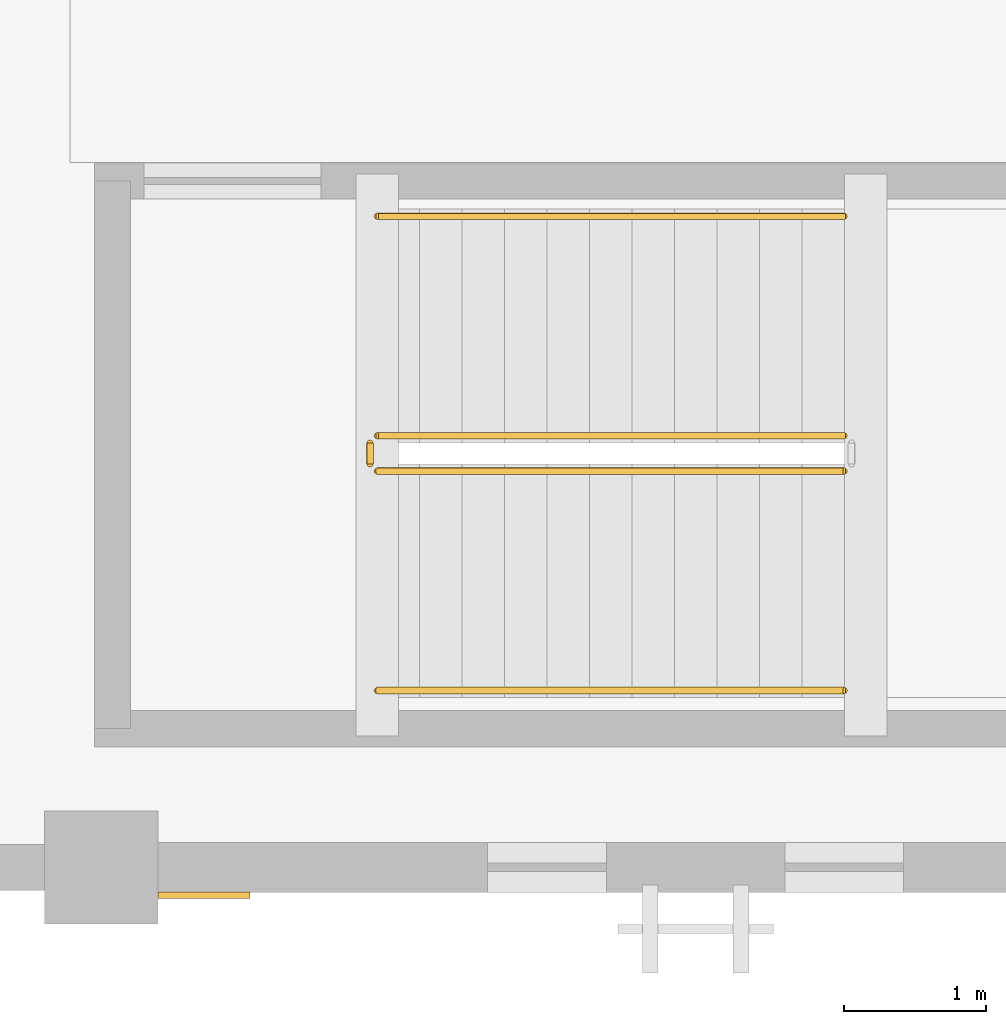
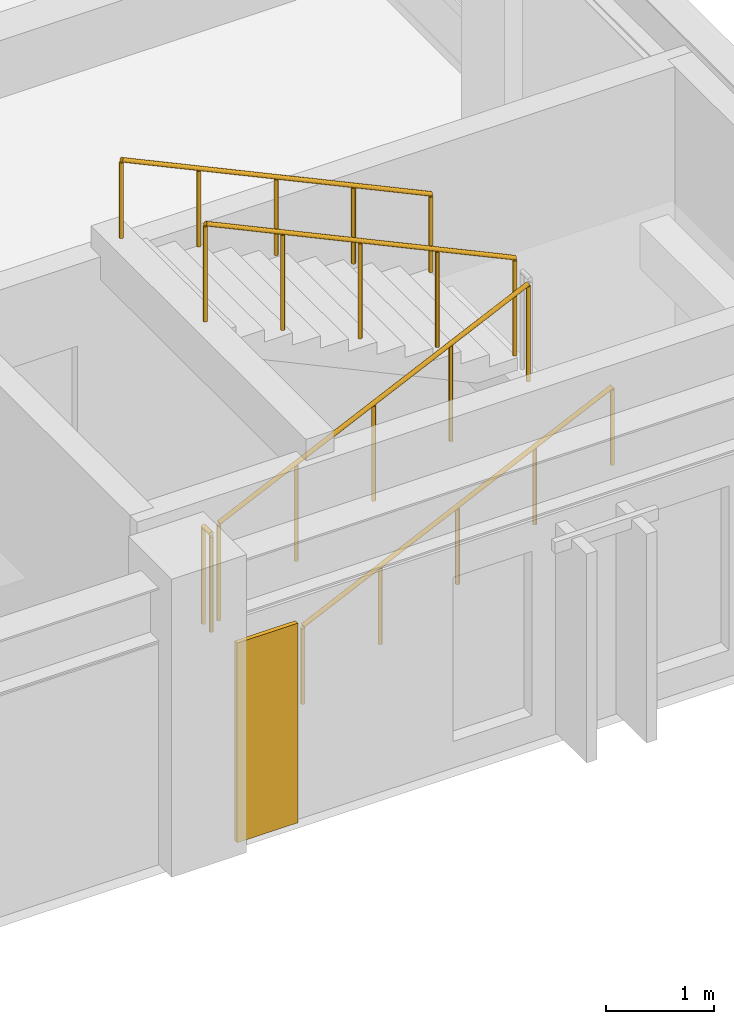
# One storey, part 99 of 111: 5 railings, 1 covering.
"""IFC4 building model written with IfcOpenShell, lengths in metres."""

import ifcopenshell
import ifcopenshell.guid

model = None  # the IFC model being written
_history = None  # IfcOwnerHistory: only IFC2X3 demands one
_inside = {}  # id of a spatial element -> (the spatial element, [elements in it])
_under = {}  # id of a project, library or spatial element -> (it, [spatial elements below it])
_declared = {}  # id of a project -> (the project, [libraries it declares])
_typed = {}  # id of a type object -> (the type object, [elements of that type])
_made_of = {}  # id of a material, layer set ... -> (it, [elements and type objects made of it])


def new_model(schema):
    """Start an empty IFC model of exactly this schema.

    Asked for "IFC4X3", IfcOpenShell would pick the latest addendum, in which some entities
    have other attributes; the version numbers below select the first issue.
    IFC2X3 requires an IfcOwnerHistory on every rooted entity: one is made here for all.
    """
    global model, _history
    if schema == "IFC4X3":
        model = ifcopenshell.file(schema_version=(4, 3, 0, 0))
    else:
        model = ifcopenshell.file(schema=schema)
    _inside.clear()
    _under.clear()
    _declared.clear()
    _typed.clear()
    _made_of.clear()
    _history = None
    if model.schema == "IFC2X3":
        org = make("IfcOrganization", Name="unknown")
        user = make(
            "IfcPersonAndOrganization",
            ThePerson=make("IfcPerson", FamilyName="unknown"),
            TheOrganization=org,
        )
        app = make(
            "IfcApplication",
            ApplicationDeveloper=org,
            Version="unknown",
            ApplicationFullName="unknown",
            ApplicationIdentifier="unknown",
        )
        _history = make(
            "IfcOwnerHistory",
            OwningUser=user,
            OwningApplication=app,
            ChangeAction="ADDED",
            CreationDate=0,
        )
    return model


def make(cls, **values):
    """One entity of the class cls with the attributes given. An attribute that is None is left unset."""
    return model.create_entity(
        cls, **{name: value for name, value in values.items() if value is not None}
    )


def rooted(cls, **values):
    """An entity with a GlobalId (a new one), such as an element, a storey or a relation."""
    return make(cls, GlobalId=ifcopenshell.guid.new(), OwnerHistory=_history, **values)


def si_unit(unit_type, name, prefix=None):
    """IfcSIUnit, for example si_unit("LENGTHUNIT", "METRE", prefix="MILLI")."""
    return make("IfcSIUnit", UnitType=unit_type, Prefix=prefix, Name=name)


def assignment(units):
    """IfcUnitAssignment: the units of a project."""
    return None if units is None else make("IfcUnitAssignment", Units=units)


def point(xyz):
    """IfcCartesianPoint."""
    return None if xyz is None else make("IfcCartesianPoint", Coordinates=xyz)


def direction(xyz):
    """IfcDirection."""
    return None if xyz is None else make("IfcDirection", DirectionRatios=xyz)


def frame(location, z_axis=None, x_axis=None):
    """IfcAxis2Placement3D, a coordinate frame: its origin and axes. An axis left out is left unset."""
    return make(
        "IfcAxis2Placement3D",
        Location=point(location),
        Axis=direction(z_axis),
        RefDirection=direction(x_axis),
    )


def frame_2d(location, x_axis=None):
    """IfcAxis2Placement2D, a coordinate frame in the plane: its origin and x axis."""
    return make(
        "IfcAxis2Placement2D", Location=point(location), RefDirection=direction(x_axis)
    )


def origin():
    """The frame at (0, 0, 0) with its axes left unset."""
    return frame((0.0, 0.0, 0.0))


def origin_2d():
    """The frame at (0, 0) in the plane with its x axis left unset."""
    return frame_2d((0.0, 0.0))


def place(relative_to, where):
    """IfcLocalPlacement: puts the frame where relative to a parent placement (None: the world)."""
    return make(
        "IfcLocalPlacement", PlacementRelTo=relative_to, RelativePlacement=where
    )


def context(
    kind, dimensions, precision=None, world=None, true_north=None, identifier=None
):
    """IfcGeometricRepresentationContext, for example the 3D "Model" context."""
    return make(
        "IfcGeometricRepresentationContext",
        ContextIdentifier=identifier,
        ContextType=kind,
        CoordinateSpaceDimension=dimensions,
        Precision=precision,
        WorldCoordinateSystem=world,
        TrueNorth=true_north,
    )


def subcontext(parent, identifier, kind, view, scale=None):
    """IfcGeometricRepresentationSubContext, for example "Body" below "Model"."""
    return make(
        "IfcGeometricRepresentationSubContext",
        ContextIdentifier=identifier,
        ContextType=kind,
        ParentContext=parent,
        TargetScale=scale,
        TargetView=view,
    )


def project(units=None, contexts=None):
    """IfcProject with its units and contexts."""
    return rooted(
        "IfcProject",
        Name="project",
        RepresentationContexts=contexts,
        UnitsInContext=assignment(units),
    )


def spatial(cls, under=None, at=None, **own):
    """A site, building, storey or space (cls), placed at a placement, below another one or the project."""
    s = rooted(cls, ObjectPlacement=at, **own)
    if under is not None:
        _under.setdefault(under.id(), (under, []))[1].append(s)
    return s


def polyline(points):
    """IfcPolyline through the points."""
    return make("IfcPolyline", Points=[point(p) for p in points])


def profile(cls, at=None, kind="AREA", **sizes):
    """A parametric profile (cls). Its sizes go by their IFC names, for example OverallWidth=200.0."""
    return make(cls, ProfileType=kind, Position=at, **sizes)


def circle(**sizes):
    """IfcCircleProfileDef."""
    return profile("IfcCircleProfileDef", **sizes)


def outline(outer, holes=None, kind="AREA"):
    """IfcArbitraryClosedProfileDef: a profile drawn as a closed curve; with holes, ...WithVoids."""
    if holes is None:
        return make("IfcArbitraryClosedProfileDef", ProfileType=kind, OuterCurve=outer)
    return make(
        "IfcArbitraryProfileDefWithVoids",
        ProfileType=kind,
        OuterCurve=outer,
        InnerCurves=holes,
    )


def extrude(swept, where, along, depth):
    """IfcExtrudedAreaSolid: the profile swept, set in the frame where, extruded along a direction by depth."""
    return make(
        "IfcExtrudedAreaSolid",
        SweptArea=swept,
        Position=where,
        ExtrudedDirection=direction(along),
        Depth=depth,
    )


def shape(context_of_items, identifier, shape_type, items):
    """IfcShapeRepresentation: the items that make up one representation, for example the "Body"."""
    return make(
        "IfcShapeRepresentation",
        ContextOfItems=context_of_items,
        RepresentationIdentifier=identifier,
        RepresentationType=shape_type,
        Items=items,
    )


def material(Name=None, Category=None):
    """IfcMaterial."""
    return make("IfcMaterial", Name=Name, Category=Category)


def layer(
    of_material, thickness, ventilated=None, Name=None, Category=None, Priority=None
):
    """IfcMaterialLayer: one layer of a wall or slab, of a material (None: an air gap)."""
    return make(
        "IfcMaterialLayer",
        Material=of_material,
        LayerThickness=thickness,
        IsVentilated=ventilated,
        Name=Name,
        Category=Category,
        Priority=Priority,
    )


def layer_set(layers, Name=None):
    """IfcMaterialLayerSet."""
    return make("IfcMaterialLayerSet", MaterialLayers=layers, LayerSetName=Name)


def made_of(thing, what):
    """Note that an element or type object is made of a material, layer set ...; save() writes the relation."""
    if what is not None:
        _made_of.setdefault(what.id(), (what, []))[1].append(thing)
    return thing


def type_object(cls, material=None, **own):
    """A type object (cls), such as IfcWallType, which elements share."""
    return made_of(rooted(cls, **own), material)


def element(
    cls,
    number,
    at=None,
    inside=None,
    cuts=None,
    type_object=None,
    material=None,
    context=None,
    identifier="Body",
    shape_type=None,
    held_by="IfcProductDefinitionShape",
    body=None,
    shapes=None,
    **own,
):
    """One element of the class cls, such as IfcWall. Its Tag is "e" and its number.

    at: its placement. inside: the storey or other place that contains it. cuts: it is an
    opening in that element (IfcRelVoidsElement). A single representation is given by context,
    identifier, shape_type and body (its items); several are given by shapes. held_by: the class
    of the entity that holds the representations. save() writes the other relations.
    """
    e = rooted(cls, Tag="e%d" % number, ObjectPlacement=at, **own)
    if body is not None:
        shapes = [shape(context, identifier, shape_type, body)]
    if shapes is not None:
        e.Representation = make(held_by, Representations=shapes)
    if inside is not None:
        _inside.setdefault(inside.id(), (inside, []))[1].append(e)
    if cuts is not None:
        rooted(
            "IfcRelVoidsElement", RelatingBuildingElement=cuts, RelatedOpeningElement=e
        )
    if type_object is not None:
        _typed.setdefault(type_object.id(), (type_object, []))[1].append(e)
    return made_of(e, material)


def aggregate(whole, parts):
    """IfcRelAggregates: a whole, such as a stair, and the parts it consists of."""
    return rooted("IfcRelAggregates", RelatingObject=whole, RelatedObjects=parts)


def save(model, path):
    """Write the relations noted so far, then the file.

    IfcRelAggregates (storeys below a building ...), IfcRelContainedInSpatialStructure (elements
    in a storey), IfcRelDefinesByType, IfcRelAssociatesMaterial and IfcRelDeclares: one each for
    every whole, place, type object, material and project.
    """
    for whole, parts in _under.values():
        aggregate(whole, parts)
    for where, things in _inside.values():
        rooted(
            "IfcRelContainedInSpatialStructure",
            RelatedElements=things,
            RelatingStructure=where,
        )
    for kind, things in _typed.values():
        rooted("IfcRelDefinesByType", RelatedObjects=things, RelatingType=kind)
    for what, things in _made_of.values():
        rooted("IfcRelAssociatesMaterial", RelatedObjects=things, RelatingMaterial=what)
    for by, libraries in _declared.values():
        rooted("IfcRelDeclares", RelatingContext=by, RelatedDefinitions=libraries)
    model.write(path)


model = new_model("IFC4")

# Units and contexts
model_context = context("Model", 3, precision=1e-05, world=origin(), true_north=direction((0.0, 1.0)))
body_context = subcontext(model_context, "Body", "Model", "MODEL_VIEW")
ifc_project = project(units=[si_unit("LENGTHUNIT", "METRE"), si_unit("AREAUNIT", "SQUARE_METRE"), si_unit("VOLUMEUNIT", "CUBIC_METRE"), si_unit("PLANEANGLEUNIT", "RADIAN"), si_unit("MASSUNIT", "GRAM", prefix="KILO")], contexts=[model_context])

# Site, building, storey
site_placement = place(None, origin())
site = spatial("IfcSite", under=ifc_project, at=site_placement, CompositionType="ELEMENT")
building_placement = place(site_placement, origin())
building = spatial("IfcBuilding", under=site, at=building_placement, Name="Cumbredor Promenade Congress Hotel", CompositionType="ELEMENT")
storey_placement = place(building_placement, frame((0.0, 0.0, 15.1201171875)))
storey = spatial("IfcBuildingStorey", under=building, at=storey_placement, Name="L04", CompositionType="ELEMENT", Elevation=15.1201171875)

# Covering
ifc_material_1 = material(Name="Precast concrete C40/50", Category="concrete")
ifc_layer = layer(ifc_material_1, 0.044921875, Name="Precast concrete C40/50", Category="concrete")
ifc_layer_set = layer_set([ifc_layer], Name="Precast concrete C40/50")
covering_type = type_object("IfcCoveringType", Name="Board-Formed Architectural Cladding Panel 45mm", PredefinedType="CLADDING", material=ifc_layer_set)
covering_placement = place(storey_placement, origin())
element("IfcCovering", 1, at=covering_placement, inside=storey, type_object=covering_type, Name="L04 Facade Stone Cladding Pier 166", PredefinedType="CLADDING", context=body_context, shape_type="SweptSolid", body=[
    extrude(outline(polyline([(59.200927734375, 8.22509765625), (59.85107421875, 8.22509765625), (59.85107421875, 8.179931640625), (59.200927734375, 8.179931640625), (59.200927734375, 8.22509765625)])), origin(), (0.0, 0.0, 1.0), 2.25),
])

# Railings
ifc_material_2 = material(Name="Brushed stainless steel", Category="steel")
railing_type_1 = type_object("IfcRailingType", Name="Interior Void & Stair Guardrail GR-1100", PredefinedType="GUARDRAIL", material=ifc_material_2)
railing_1_placement = place(storey_placement, frame((60.75, 11.199951171875, 0.139892578125)))
element("IfcRailing", 2, at=railing_1_placement, inside=storey, type_object=railing_type_1, Name="L04 ST-05 stair guard 1", PredefinedType="GUARDRAIL", context=body_context, shape_type="SweptSolid", body=[
    extrude(circle(Radius=0.02392578125, at=origin_2d()), frame((0.0, 0.0, 1.09619140625), z_axis=(0.906181427284, 0.0, 0.422889135408), x_axis=(0.0, 1.0, 0.0)), (0.0, 0.0, 1.0), 3.6416015625),
    extrude(circle(Radius=0.02099609375, at=origin_2d()), origin(), (0.0, 0.0, 1.0), 1.072021484375),
    extrude(circle(Radius=0.02099609375, at=origin_2d()), frame((0.824951171875, 0.0, 0.385009765625)), (0.0, 0.0, 1.0), 1.072021484375),
    extrude(circle(Radius=0.02099609375, at=origin_2d()), frame((1.64990234375, 0.0, 0.77001953125)), (0.0, 0.0, 1.0), 1.072021484375),
    extrude(circle(Radius=0.02099609375, at=origin_2d()), frame((2.47509765625, 0.0, 1.155029296875)), (0.0, 0.0, 1.0), 1.072021484375),
    extrude(circle(Radius=0.02099609375, at=origin_2d()), frame((3.300048828125, 0.0, 1.5400390625)), (0.0, 0.0, 1.0), 1.072021484375),
])
railing_2_placement = place(storey_placement, frame((64.050048828125, 11.449951171875, 1.81982421875)))
element("IfcRailing", 3, at=railing_2_placement, inside=storey, type_object=railing_type_1, Name="L04 ST-05 stair guard 3", PredefinedType="GUARDRAIL", context=body_context, shape_type="SweptSolid", body=[
    extrude(circle(Radius=0.02392578125, at=origin_2d()), frame((0.0, 0.0, 1.09619140625), z_axis=(-0.906181427284, 0.0, 0.422889135408), x_axis=(0.0, -1.0, 0.0)), (0.0, 0.0, 1.0), 3.6416015625),
    extrude(circle(Radius=0.02099609375, at=origin_2d()), origin(), (0.0, 0.0, 1.0), 1.072021484375),
    extrude(circle(Radius=0.02099609375, at=origin_2d()), frame((-0.824951171875, 0.0, 0.385009765625)), (0.0, 0.0, 1.0), 1.072021484375),
    extrude(circle(Radius=0.02099609375, at=origin_2d()), frame((-1.64990234375, 0.0, 0.77001953125)), (0.0, 0.0, 1.0), 1.072021484375),
    extrude(circle(Radius=0.02099609375, at=origin_2d()), frame((-2.47509765625, 0.0, 1.155029296875)), (0.0, 0.0, 1.0), 1.072021484375),
    extrude(circle(Radius=0.02099609375, at=origin_2d()), frame((-3.300048828125, 0.0, 1.5400390625)), (0.0, 0.0, 1.0), 1.072021484375),
])
railing_3_placement = place(storey_placement, frame((60.699951171875, 11.25, 0.0)))
element("IfcRailing", 4, at=railing_3_placement, inside=storey, type_object=railing_type_1, Name="L04 ST-05 stair guard 4", PredefinedType="GUARDRAIL", context=body_context, shape_type="SweptSolid", body=[
    extrude(circle(Radius=0.02392578125, at=origin_2d()), frame((0.0, 0.0, 1.09619140625), z_axis=(0.0, 1.0, 0.0), x_axis=(-1.0, 0.0, 0.0)), (0.0, 0.0, 1.0), 0.14990234375),
    extrude(circle(Radius=0.02099609375, at=origin_2d()), origin(), (0.0, 0.0, 1.0), 1.072021484375),
    extrude(circle(Radius=0.02099609375, at=origin_2d()), frame((0.0, 0.14990234375, 0.0)), (0.0, 0.0, 1.0), 1.072021484375),
])
railing_type_2 = type_object("IfcRailingType", Name="Stair Pitch Handrail HR-900", PredefinedType="HANDRAIL", material=ifc_material_2)
railing_4_placement = place(storey_placement, frame((60.75, 9.64990234375, 0.139892578125)))
element("IfcRailing", 5, at=railing_4_placement, inside=storey, type_object=railing_type_2, Name="L04 ST-05 stair handrail 1", PredefinedType="HANDRAIL", context=body_context, shape_type="SweptSolid", body=[
    extrude(circle(Radius=0.02392578125, at=origin_2d()), frame((0.0, 0.0, 0.8759765625), z_axis=(0.906181427284, 0.0, 0.422889135408), x_axis=(0.0, 1.0, 0.0)), (0.0, 0.0, 1.0), 3.6416015625),
    extrude(circle(Radius=0.02099609375, at=origin_2d()), origin(), (0.0, 0.0, 1.0), 0.851806640625),
    extrude(circle(Radius=0.02099609375, at=origin_2d()), frame((0.824951171875, 0.0, 0.385009765625)), (0.0, 0.0, 1.0), 0.851806640625),
    extrude(circle(Radius=0.02099609375, at=origin_2d()), frame((1.64990234375, 0.0, 0.77001953125)), (0.0, 0.0, 1.0), 0.851806640625),
    extrude(circle(Radius=0.02099609375, at=origin_2d()), frame((2.47509765625, 0.0, 1.155029296875)), (0.0, 0.0, 1.0), 0.851806640625),
    extrude(circle(Radius=0.02099609375, at=origin_2d()), frame((3.300048828125, 0.0, 1.5400390625)), (0.0, 0.0, 1.0), 0.851806640625),
])
railing_5_placement = place(storey_placement, frame((64.050048828125, 13.0, 1.81982421875)))
element("IfcRailing", 6, at=railing_5_placement, inside=storey, type_object=railing_type_2, Name="L04 ST-05 stair handrail 2", PredefinedType="HANDRAIL", context=body_context, shape_type="SweptSolid", body=[
    extrude(circle(Radius=0.02392578125, at=origin_2d()), frame((0.0, 0.0, 0.8759765625), z_axis=(-0.906181427284, 0.0, 0.422889135408), x_axis=(0.0, -1.0, 0.0)), (0.0, 0.0, 1.0), 3.6416015625),
    extrude(circle(Radius=0.02099609375, at=origin_2d()), origin(), (0.0, 0.0, 1.0), 0.851806640625),
    extrude(circle(Radius=0.02099609375, at=origin_2d()), frame((-0.824951171875, 0.0, 0.385009765625)), (0.0, 0.0, 1.0), 0.851806640625),
    extrude(circle(Radius=0.02099609375, at=origin_2d()), frame((-1.64990234375, 0.0, 0.77001953125)), (0.0, 0.0, 1.0), 0.851806640625),
    extrude(circle(Radius=0.02099609375, at=origin_2d()), frame((-2.47509765625, 0.0, 1.155029296875)), (0.0, 0.0, 1.0), 0.851806640625),
    extrude(circle(Radius=0.02099609375, at=origin_2d()), frame((-3.300048828125, 0.0, 1.5400390625)), (0.0, 0.0, 1.0), 0.851806640625),
])

save(model, "model.ifc")
